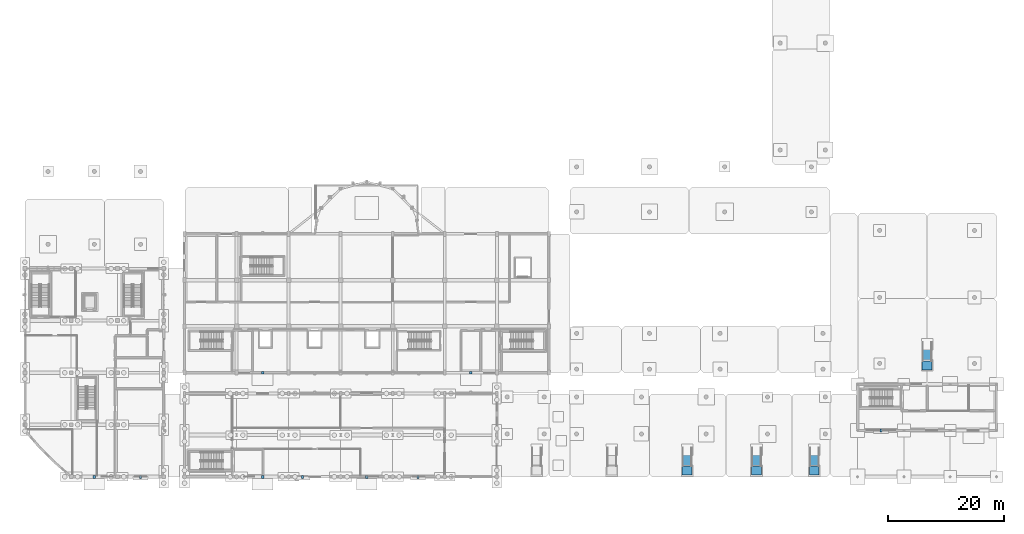
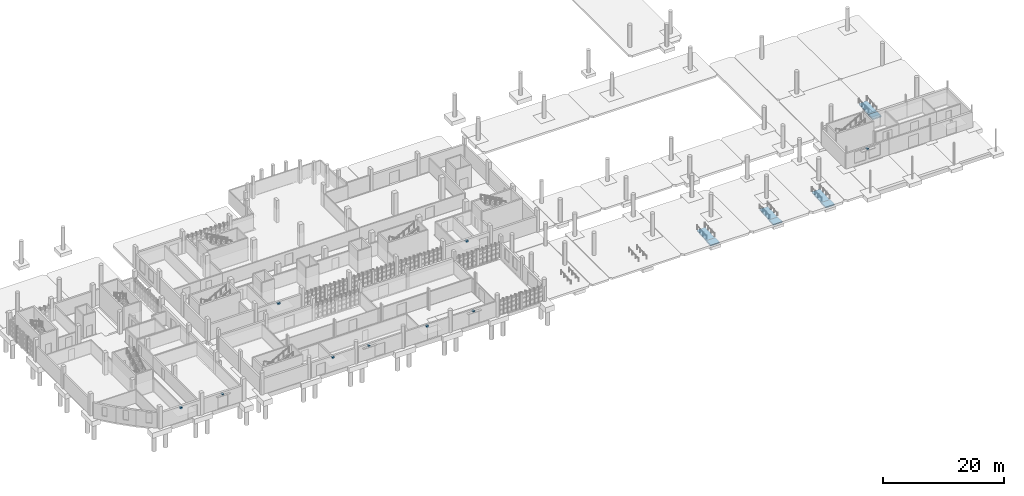
# One storey, part 48 of 63: 9 discrete accessories, 4 ramps, 4 ramp flights.
"""IFC4 building model written with IfcOpenShell, lengths in metres."""

import ifcopenshell
import ifcopenshell.guid

model = None  # the IFC model being written
_history = None  # IfcOwnerHistory: only IFC2X3 demands one
_inside = {}  # id of a spatial element -> (the spatial element, [elements in it])
_under = {}  # id of a project, library or spatial element -> (it, [spatial elements below it])
_declared = {}  # id of a project -> (the project, [libraries it declares])
_typed = {}  # id of a type object -> (the type object, [elements of that type])
_made_of = {}  # id of a material, layer set ... -> (it, [elements and type objects made of it])


def new_model(schema):
    """Start an empty IFC model of exactly this schema.

    Asked for "IFC4X3", IfcOpenShell would pick the latest addendum, in which some entities
    have other attributes; the version numbers below select the first issue.
    IFC2X3 requires an IfcOwnerHistory on every rooted entity: one is made here for all.
    """
    global model, _history
    if schema == "IFC4X3":
        model = ifcopenshell.file(schema_version=(4, 3, 0, 0))
    else:
        model = ifcopenshell.file(schema=schema)
    _inside.clear()
    _under.clear()
    _declared.clear()
    _typed.clear()
    _made_of.clear()
    _history = None
    if model.schema == "IFC2X3":
        org = make("IfcOrganization", Name="unknown")
        user = make(
            "IfcPersonAndOrganization",
            ThePerson=make("IfcPerson", FamilyName="unknown"),
            TheOrganization=org,
        )
        app = make(
            "IfcApplication",
            ApplicationDeveloper=org,
            Version="unknown",
            ApplicationFullName="unknown",
            ApplicationIdentifier="unknown",
        )
        _history = make(
            "IfcOwnerHistory",
            OwningUser=user,
            OwningApplication=app,
            ChangeAction="ADDED",
            CreationDate=0,
        )
    return model


def make(cls, **values):
    """One entity of the class cls with the attributes given. An attribute that is None is left unset."""
    return model.create_entity(
        cls, **{name: value for name, value in values.items() if value is not None}
    )


def rooted(cls, **values):
    """An entity with a GlobalId (a new one), such as an element, a storey or a relation."""
    return make(cls, GlobalId=ifcopenshell.guid.new(), OwnerHistory=_history, **values)


def si_unit(unit_type, name, prefix=None):
    """IfcSIUnit, for example si_unit("LENGTHUNIT", "METRE", prefix="MILLI")."""
    return make("IfcSIUnit", UnitType=unit_type, Prefix=prefix, Name=name)


def assignment(units):
    """IfcUnitAssignment: the units of a project."""
    return None if units is None else make("IfcUnitAssignment", Units=units)


def point(xyz):
    """IfcCartesianPoint."""
    return None if xyz is None else make("IfcCartesianPoint", Coordinates=xyz)


def direction(xyz):
    """IfcDirection."""
    return None if xyz is None else make("IfcDirection", DirectionRatios=xyz)


def frame(location, z_axis=None, x_axis=None):
    """IfcAxis2Placement3D, a coordinate frame: its origin and axes. An axis left out is left unset."""
    return make(
        "IfcAxis2Placement3D",
        Location=point(location),
        Axis=direction(z_axis),
        RefDirection=direction(x_axis),
    )


def frame_2d(location, x_axis=None):
    """IfcAxis2Placement2D, a coordinate frame in the plane: its origin and x axis."""
    return make(
        "IfcAxis2Placement2D", Location=point(location), RefDirection=direction(x_axis)
    )


def origin():
    """The frame at (0, 0, 0) with its axes left unset."""
    return frame((0.0, 0.0, 0.0))


def origin_2d():
    """The frame at (0, 0) in the plane with its x axis left unset."""
    return frame_2d((0.0, 0.0))


def place(relative_to, where):
    """IfcLocalPlacement: puts the frame where relative to a parent placement (None: the world)."""
    return make(
        "IfcLocalPlacement", PlacementRelTo=relative_to, RelativePlacement=where
    )


def context(
    kind, dimensions, precision=None, world=None, true_north=None, identifier=None
):
    """IfcGeometricRepresentationContext, for example the 3D "Model" context."""
    return make(
        "IfcGeometricRepresentationContext",
        ContextIdentifier=identifier,
        ContextType=kind,
        CoordinateSpaceDimension=dimensions,
        Precision=precision,
        WorldCoordinateSystem=world,
        TrueNorth=true_north,
    )


def subcontext(parent, identifier, kind, view, scale=None):
    """IfcGeometricRepresentationSubContext, for example "Body" below "Model"."""
    return make(
        "IfcGeometricRepresentationSubContext",
        ContextIdentifier=identifier,
        ContextType=kind,
        ParentContext=parent,
        TargetScale=scale,
        TargetView=view,
    )


def project(units=None, contexts=None):
    """IfcProject with its units and contexts."""
    return rooted(
        "IfcProject",
        Name="project",
        RepresentationContexts=contexts,
        UnitsInContext=assignment(units),
    )


def spatial(cls, under=None, at=None, **own):
    """A site, building, storey or space (cls), placed at a placement, below another one or the project."""
    s = rooted(cls, ObjectPlacement=at, **own)
    if under is not None:
        _under.setdefault(under.id(), (under, []))[1].append(s)
    return s


def polyline(points):
    """IfcPolyline through the points."""
    return make("IfcPolyline", Points=[point(p) for p in points])


def profile(cls, at=None, kind="AREA", **sizes):
    """A parametric profile (cls). Its sizes go by their IFC names, for example OverallWidth=200.0."""
    return make(cls, ProfileType=kind, Position=at, **sizes)


def rectangle(**sizes):
    """IfcRectangleProfileDef."""
    return profile("IfcRectangleProfileDef", **sizes)


def outline(outer, holes=None, kind="AREA"):
    """IfcArbitraryClosedProfileDef: a profile drawn as a closed curve; with holes, ...WithVoids."""
    if holes is None:
        return make("IfcArbitraryClosedProfileDef", ProfileType=kind, OuterCurve=outer)
    return make(
        "IfcArbitraryProfileDefWithVoids",
        ProfileType=kind,
        OuterCurve=outer,
        InnerCurves=holes,
    )


def extrude(swept, where, along, depth):
    """IfcExtrudedAreaSolid: the profile swept, set in the frame where, extruded along a direction by depth."""
    return make(
        "IfcExtrudedAreaSolid",
        SweptArea=swept,
        Position=where,
        ExtrudedDirection=direction(along),
        Depth=depth,
    )


def shape(context_of_items, identifier, shape_type, items):
    """IfcShapeRepresentation: the items that make up one representation, for example the "Body"."""
    return make(
        "IfcShapeRepresentation",
        ContextOfItems=context_of_items,
        RepresentationIdentifier=identifier,
        RepresentationType=shape_type,
        Items=items,
    )


def material(Name=None, Category=None):
    """IfcMaterial."""
    return make("IfcMaterial", Name=Name, Category=Category)


def layer(
    of_material, thickness, ventilated=None, Name=None, Category=None, Priority=None
):
    """IfcMaterialLayer: one layer of a wall or slab, of a material (None: an air gap)."""
    return make(
        "IfcMaterialLayer",
        Material=of_material,
        LayerThickness=thickness,
        IsVentilated=ventilated,
        Name=Name,
        Category=Category,
        Priority=Priority,
    )


def layer_set(layers, Name=None):
    """IfcMaterialLayerSet."""
    return make("IfcMaterialLayerSet", MaterialLayers=layers, LayerSetName=Name)


def made_of(thing, what):
    """Note that an element or type object is made of a material, layer set ...; save() writes the relation."""
    if what is not None:
        _made_of.setdefault(what.id(), (what, []))[1].append(thing)
    return thing


def type_object(cls, material=None, **own):
    """A type object (cls), such as IfcWallType, which elements share."""
    return made_of(rooted(cls, **own), material)


def element(
    cls,
    number,
    at=None,
    inside=None,
    cuts=None,
    type_object=None,
    material=None,
    context=None,
    identifier="Body",
    shape_type=None,
    held_by="IfcProductDefinitionShape",
    body=None,
    shapes=None,
    **own,
):
    """One element of the class cls, such as IfcWall. Its Tag is "e" and its number.

    at: its placement. inside: the storey or other place that contains it. cuts: it is an
    opening in that element (IfcRelVoidsElement). A single representation is given by context,
    identifier, shape_type and body (its items); several are given by shapes. held_by: the class
    of the entity that holds the representations. save() writes the other relations.
    """
    e = rooted(cls, Tag="e%d" % number, ObjectPlacement=at, **own)
    if body is not None:
        shapes = [shape(context, identifier, shape_type, body)]
    if shapes is not None:
        e.Representation = make(held_by, Representations=shapes)
    if inside is not None:
        _inside.setdefault(inside.id(), (inside, []))[1].append(e)
    if cuts is not None:
        rooted(
            "IfcRelVoidsElement", RelatingBuildingElement=cuts, RelatedOpeningElement=e
        )
    if type_object is not None:
        _typed.setdefault(type_object.id(), (type_object, []))[1].append(e)
    return made_of(e, material)


def aggregate(whole, parts):
    """IfcRelAggregates: a whole, such as a stair, and the parts it consists of."""
    return rooted("IfcRelAggregates", RelatingObject=whole, RelatedObjects=parts)


def save(model, path):
    """Write the relations noted so far, then the file.

    IfcRelAggregates (storeys below a building ...), IfcRelContainedInSpatialStructure (elements
    in a storey), IfcRelDefinesByType, IfcRelAssociatesMaterial and IfcRelDeclares: one each for
    every whole, place, type object, material and project.
    """
    for whole, parts in _under.values():
        aggregate(whole, parts)
    for where, things in _inside.values():
        rooted(
            "IfcRelContainedInSpatialStructure",
            RelatedElements=things,
            RelatingStructure=where,
        )
    for kind, things in _typed.values():
        rooted("IfcRelDefinesByType", RelatedObjects=things, RelatingType=kind)
    for what, things in _made_of.values():
        rooted("IfcRelAssociatesMaterial", RelatedObjects=things, RelatingMaterial=what)
    for by, libraries in _declared.values():
        rooted("IfcRelDeclares", RelatingContext=by, RelatedDefinitions=libraries)
    model.write(path)


model = new_model("IFC4")

# Units and contexts
model_context = context("Model", 3, precision=1e-05, world=origin(), true_north=direction((0.0, 1.0)))
body_context = subcontext(model_context, "Body", "Model", "MODEL_VIEW")
ifc_project = project(units=[si_unit("LENGTHUNIT", "METRE"), si_unit("AREAUNIT", "SQUARE_METRE"), si_unit("VOLUMEUNIT", "CUBIC_METRE"), si_unit("PLANEANGLEUNIT", "RADIAN"), si_unit("MASSUNIT", "GRAM", prefix="KILO")], contexts=[model_context])

# Site, building, storey
site_placement = place(None, origin())
site = spatial("IfcSite", under=ifc_project, at=site_placement, CompositionType="ELEMENT")
building_placement = place(site_placement, origin())
building = spatial("IfcBuilding", under=site, at=building_placement, Name="Serraforn Aerial Cableway Station", CompositionType="ELEMENT")
storey_placement = place(building_placement, origin())
storey = spatial("IfcBuildingStorey", under=building, at=storey_placement, Name="L00", CompositionType="ELEMENT", Elevation=0.0)

# Ramp
ifc_material_1 = material(Name="Concrete C35/45", Category="concrete")
ifc_layer_1 = layer(ifc_material_1, 0.25)
ifc_layer_set_1 = layer_set([ifc_layer_1], Name="Concrete C35/45")
ramp_type = type_object("IfcRampType", Name="RMP-ACC-150", PredefinedType="STRAIGHT_RUN_RAMP", material=ifc_layer_set_1)
ramp_1_placement = place(storey_placement, frame((0.0, 0.0, -0.449951171875)))
ramp_1 = element("IfcRamp", 1, at=ramp_1_placement, inside=storey, type_object=ramp_type, Name="Step-Free Approach Ramp RMP-03", PredefinedType="STRAIGHT_RUN_RAMP", context=body_context, shape_type="SweptSolid", body=[
    extrude(outline(polyline([(113.64990234375, 0.300048828125), (115.35009765625, 0.300048828125), (115.35009765625, 1.820068359375), (113.64990234375, 1.820068359375), (113.64990234375, 0.300048828125)])), origin(), (0.0, 0.0, 1.0), 0.25),
])

ramp_2_placement = place(storey_placement, frame((0.0, 0.0, -0.449951171875)))
ramp_2 = element("IfcRamp", 2, at=ramp_2_placement, inside=storey, type_object=ramp_type, Name="Step-Free Approach Ramp RMP-04", PredefinedType="STRAIGHT_RUN_RAMP", context=body_context, shape_type="SweptSolid", body=[
    extrude(outline(polyline([(125.64990234375, 0.300048828125), (127.35009765625, 0.300048828125), (127.35009765625, 1.820068359375), (125.64990234375, 1.820068359375), (125.64990234375, 0.300048828125)])), origin(), (0.0, 0.0, 1.0), 0.25),
])

ramp_3_placement = place(storey_placement, frame((0.0, 0.0, -0.449951171875)))
ramp_3 = element("IfcRamp", 3, at=ramp_3_placement, inside=storey, type_object=ramp_type, Name="Step-Free Approach Ramp RMP-05", PredefinedType="STRAIGHT_RUN_RAMP", context=body_context, shape_type="SweptSolid", body=[
    extrude(outline(polyline([(135.64990234375, 0.300048828125), (137.35009765625, 0.300048828125), (137.35009765625, 1.820068359375), (135.64990234375, 1.820068359375), (135.64990234375, 0.300048828125)])), origin(), (0.0, 0.0, 1.0), 0.25),
])

ramp_4_placement = place(storey_placement, frame((0.0, 0.0, -0.449951171875)))
ramp_4 = element("IfcRamp", 4, at=ramp_4_placement, inside=storey, type_object=ramp_type, Name="Step-Free Approach Ramp RMP-06", PredefinedType="STRAIGHT_RUN_RAMP", context=body_context, shape_type="SweptSolid", body=[
    extrude(outline(polyline([(155.14990234375, 18.5), (156.85009765625, 18.5), (156.85009765625, 20.02001953125), (155.14990234375, 20.02001953125), (155.14990234375, 18.5)])), origin(), (0.0, 0.0, 1.0), 0.25),
])

# Ramp flight
ifc_layer_2 = layer(ifc_material_1, 0.25)
ifc_layer_set_2 = layer_set([ifc_layer_2], Name="Concrete C35/45")
ramp_flight_type = type_object("IfcRampFlightType", Name="RMP-FLT-150", PredefinedType="STRAIGHT", material=ifc_layer_set_2)
ramp_flight_1_placement = place(storey_placement, frame((114.5, 1.800048828125, -0.199951171875), z_axis=(0.0, 0.0, 1.0), x_axis=(0.0, 1.0, 0.0)))
ramp_flight_1 = element("IfcRampFlight", 5, at=ramp_flight_1_placement, type_object=ramp_flight_type, Name="Accessible Ramp Flight RMP-03", PredefinedType="STRAIGHT", context=body_context, shape_type="SweptSolid", body=[
    extrude(outline(polyline([(0.0, 0.0), (3.219970703125, 0.199951171875), (3.219970703125, -0.050048828125), (0.0, -0.25), (0.0, 0.0)])), frame((0.0, 0.800048828125, 0.0), z_axis=(0.0, -1.0, 0.0), x_axis=(1.0, 0.0, 0.0)), (0.0, 0.0, 1.0), 1.60009765625),
])

aggregate(ramp_1, [ramp_flight_1])

ramp_flight_2_placement = place(storey_placement, frame((126.5, 1.800048828125, -0.199951171875), z_axis=(0.0, 0.0, 1.0), x_axis=(0.0, 1.0, 0.0)))
ramp_flight_2 = element("IfcRampFlight", 6, at=ramp_flight_2_placement, type_object=ramp_flight_type, Name="Accessible Ramp Flight RMP-04", PredefinedType="STRAIGHT", context=body_context, shape_type="SweptSolid", body=[
    extrude(outline(polyline([(0.0, 0.0), (3.219970703125, 0.199951171875), (3.219970703125, -0.050048828125), (0.0, -0.25), (0.0, 0.0)])), frame((0.0, 0.800048828125, 0.0), z_axis=(0.0, -1.0, 0.0), x_axis=(1.0, 0.0, 0.0)), (0.0, 0.0, 1.0), 1.60009765625),
])

aggregate(ramp_2, [ramp_flight_2])

ramp_flight_3_placement = place(storey_placement, frame((136.5, 1.800048828125, -0.199951171875), z_axis=(0.0, 0.0, 1.0), x_axis=(0.0, 1.0, 0.0)))
ramp_flight_3 = element("IfcRampFlight", 7, at=ramp_flight_3_placement, type_object=ramp_flight_type, Name="Accessible Ramp Flight RMP-05", PredefinedType="STRAIGHT", context=body_context, shape_type="SweptSolid", body=[
    extrude(outline(polyline([(0.0, 0.0), (3.219970703125, 0.199951171875), (3.219970703125, -0.050048828125), (0.0, -0.25), (0.0, 0.0)])), frame((0.0, 0.800048828125, 0.0), z_axis=(0.0, -1.0, 0.0), x_axis=(1.0, 0.0, 0.0)), (0.0, 0.0, 1.0), 1.60009765625),
])

aggregate(ramp_3, [ramp_flight_3])

ramp_flight_4_placement = place(storey_placement, frame((156.0, 20.0, -0.199951171875), z_axis=(0.0, 0.0, 1.0), x_axis=(0.0, 1.0, 0.0)))
ramp_flight_4 = element("IfcRampFlight", 8, at=ramp_flight_4_placement, type_object=ramp_flight_type, Name="Accessible Ramp Flight RMP-06", PredefinedType="STRAIGHT", context=body_context, shape_type="SweptSolid", body=[
    extrude(outline(polyline([(0.0, 0.0), (3.219970703125, 0.199951171875), (3.219970703125, -0.050048828125), (0.0, -0.25), (0.0, 0.0)])), frame((0.0, 0.800048828125, 0.0), z_axis=(0.0, -1.0, 0.0), x_axis=(1.0, 0.0, 0.0)), (0.0, 0.0, 1.0), 1.60009765625),
])

aggregate(ramp_4, [ramp_flight_4])

# Discrete accessories
ifc_material_2 = material(Name="Steel S355J2", Category="steel")
ifc_layer_3 = layer(ifc_material_2, 0.280029296875)
ifc_layer_set_3 = layer_set([ifc_layer_3], Name="Steel S355J2")
discrete_accessory_type = type_object("IfcDiscreteAccessoryType", Name="BRK-STEEL", PredefinedType="BRACKET", material=ifc_layer_set_3)
for number, where, z_axis, x_axis, name in (
    (9, (12.0, -0.0400390625, 2.60009765625), (0.0, 0.0, 1.0), (1.0, 0.0, 0.0), "Canopy Support Bracket 01"),
    (10, (41.10009765625, -0.0400390625, 2.60009765625), (0.0, 0.0, 1.0), (1.0, 0.0, 0.0), "Canopy Support Bracket 02"),
    (11, (59.10009765625, -0.0400390625, 2.60009765625), (0.0, 0.0, 1.0), (1.0, 0.0, 0.0), "Canopy Support Bracket 03"),
    (12, (41.10009765625, 17.9599609375, 2.60009765625), (0.0, 0.0, 1.0), (1.0, 0.0, 0.0), "Canopy Support Bracket 04"),
    (13, (77.10009765625, 17.9599609375, 2.60009765625), (0.0, 0.0, 1.0), (1.0, 0.0, 0.0), "Canopy Support Bracket 05"),
):
    element("IfcDiscreteAccessory", number, at=place(storey_placement, frame(where, z_axis=z_axis, x_axis=x_axis)), inside=storey, type_object=discrete_accessory_type, Name=name, PredefinedType="BRACKET", context=body_context, shape_type="SweptSolid", body=[
        extrude(rectangle(XDim=0.449951171875, YDim=0.449951171875, at=origin_2d()), origin(), (0.0, 0.0, 1.0), 0.300048828125),
    ])
for number, where, z_axis, x_axis, name in (
    (14, (20.0, 0.0, 2.52978515625), (0.0, 0.0, 1.0), (1.0, 0.0, 0.0), "Sunshade Fixing Bracket 01"),
    (15, (48.0, 0.0, 2.52978515625), (0.0, 0.0, 1.0), (1.0, 0.0, 0.0), "Sunshade Fixing Bracket 02"),
    (16, (68.0, 0.0, 2.52978515625), (0.0, 0.0, 1.0), (1.0, 0.0, 0.0), "Sunshade Fixing Bracket 03"),
    (17, (148.0, 8.0, 2.52978515625), (0.0, 0.0, 1.0), (1.0, 0.0, 0.0), "Sunshade Fixing Bracket 08"),
):
    element("IfcDiscreteAccessory", number, at=place(storey_placement, frame(where, z_axis=z_axis, x_axis=x_axis)), inside=storey, type_object=discrete_accessory_type, Name=name, PredefinedType="BRACKET", context=body_context, shape_type="SweptSolid", body=[
        extrude(rectangle(XDim=0.35009765625, YDim=0.52001953125, at=origin_2d()), origin(), (0.0, 0.0, 1.0), 0.239990234375),
    ])

save(model, "model.ifc")
